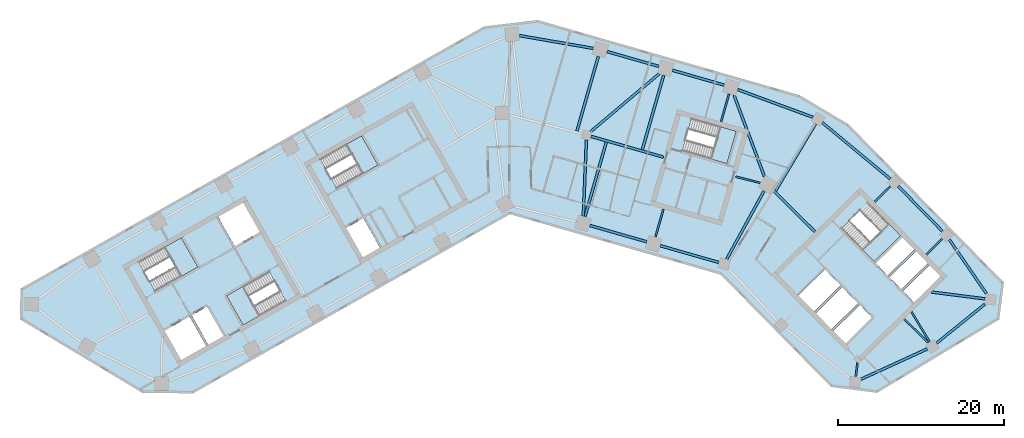
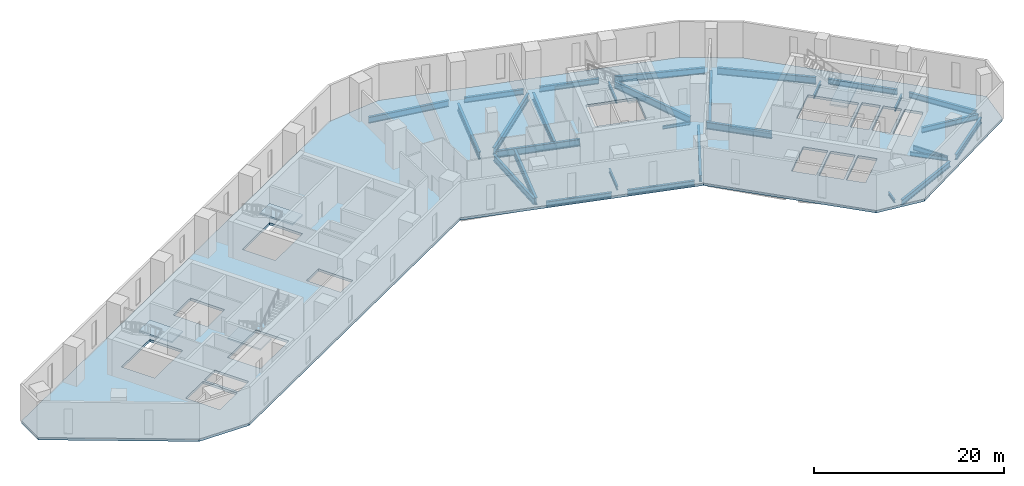
# One storey, part 2 of 10: 30 beams, 6 slabs, 5 elements without a shape of their own.
"""IFC4 building model written with IfcOpenShell, lengths in metres."""

from ifc_helpers import new_model, si_unit, direction, frame, origin, origin_2d, place, context, subcontext, project, spatial, polyline, i_section, outline, extrude, material, layer, layer_set, material_profile, profile_set, type_object, element, aggregate, save


model = new_model("IFC4")

# Units and contexts
model_context = context("Model", 3, precision=1e-05, world=origin(), true_north=direction((0.0, 1.0)))
body_context = subcontext(model_context, "Body", "Model", "MODEL_VIEW")
ifc_project = project(units=[si_unit("LENGTHUNIT", "METRE"), si_unit("AREAUNIT", "SQUARE_METRE"), si_unit("VOLUMEUNIT", "CUBIC_METRE"), si_unit("PLANEANGLEUNIT", "RADIAN"), si_unit("MASSUNIT", "GRAM", prefix="KILO")], contexts=[model_context])

# Site, building, storey
site_placement = place(None, origin())
site = spatial("IfcSite", under=ifc_project, at=site_placement, CompositionType="ELEMENT")
building_placement = place(site_placement, origin())
building = spatial("IfcBuilding", under=site, at=building_placement, Name="Binnacle Exchange Tower", CompositionType="ELEMENT")
storey_placement = place(building_placement, frame((0.0, 0.0, 71.5)))
storey = spatial("IfcBuildingStorey", under=building, at=storey_placement, Name="L14", CompositionType="ELEMENT", Elevation=71.5)

# Beams
ifc_material_1 = material(Name="Steel S355 (SHN355)", Category="steel")
ifc_material_profile_1 = material_profile(ifc_material_1, i_section(OverallWidth=0.300048828125, OverallDepth=0.699951171875, WebThickness=0.012939453125, FlangeThickness=0.02392578125, FilletRadius=0.028076171875, at=origin_2d()), Name="H 700x300x13x24")
ifc_profile_set_1 = profile_set([ifc_material_profile_1], Name="Steel S355 (SHN355)")
beam_type_1 = type_object("IfcBeamType", Name="Edge girder H 700x300x13x24 Steel S355 (SHN355)", PredefinedType="SPANDREL", material=ifc_profile_set_1)
beam_1_placement = place(storey_placement, frame((9.626708984375, 46.488037109375, -0.669921875), z_axis=(0.961260850036, -0.275640305812, 0.0), x_axis=(0.275640305812, 0.961260850036, 0.0)))
element("IfcBeam", 1, at=beam_1_placement, inside=storey, type_object=beam_type_1, Name="S:BM:edge:L14:030", PredefinedType="SPANDREL", context=body_context, shape_type="SweptSolid", body=[
    extrude(i_section(OverallWidth=0.300048828125, OverallDepth=0.699951171875, WebThickness=0.012939453125, FlangeThickness=0.02392578125, FilletRadius=0.028076171875, at=origin_2d()), origin(), (0.0, 0.0, 1.0), 7.120361328125),
])
beam_2_placement = place(storey_placement, frame((17.92919921875, 65.610595703125, -0.669921875), z_axis=(-0.961261624999, 0.275637603213, 0.0), x_axis=(-0.275637603213, -0.961261624999, 0.0)))
element("IfcBeam", 2, at=beam_2_placement, inside=storey, type_object=beam_type_1, Name="S:BM:edge:L14:032", PredefinedType="SPANDREL", context=body_context, shape_type="SweptSolid", body=[
    extrude(i_section(OverallWidth=0.300048828125, OverallDepth=0.699951171875, WebThickness=0.012939453125, FlangeThickness=0.02392578125, FilletRadius=0.028076171875, at=origin_2d()), origin(), (0.0, 0.0, 1.0), 6.472900390625),
])
beam_3_placement = place(storey_placement, frame((18.105224609375, 44.056884765625, -0.669921875), z_axis=(0.96126047873, -0.275641600691, 0.0), x_axis=(0.275641600691, 0.96126047873, 0.0)))
element("IfcBeam", 3, at=beam_3_placement, inside=storey, type_object=beam_type_1, Name="S:BM:edge:L14:033", PredefinedType="SPANDREL", context=body_context, shape_type="SweptSolid", body=[
    extrude(i_section(OverallWidth=0.300048828125, OverallDepth=0.699951171875, WebThickness=0.012939453125, FlangeThickness=0.02392578125, FilletRadius=0.028076171875, at=origin_2d()), origin(), (0.0, 0.0, 1.0), 7.320556640625),
])
beam_4_placement = place(storey_placement, frame((25.78564453125, 63.35791015625, -0.669921875), z_axis=(-0.961271618025, 0.275602751036, 0.0), x_axis=(-0.275602751036, -0.961271618025, 0.0)))
element("IfcBeam", 4, at=beam_4_placement, inside=storey, type_object=beam_type_1, Name="S:BM:edge:L14:034", PredefinedType="SPANDREL", context=body_context, shape_type="SweptSolid", body=[
    extrude(i_section(OverallWidth=0.300048828125, OverallDepth=0.699951171875, WebThickness=0.012939453125, FlangeThickness=0.02392578125, FilletRadius=0.028076171875, at=origin_2d()), origin(), (0.0, 0.0, 1.0), 6.472900390625),
])
beam_5_placement = place(storey_placement, frame((51.322265625, 32.343505859375, -0.669921875), z_axis=(0.777568489665, 0.628798253719, 0.0), x_axis=(-0.628798253719, 0.777568489665, 0.0)))
element("IfcBeam", 5, at=beam_5_placement, inside=storey, type_object=beam_type_1, Name="S:BM:edge:L14:040", PredefinedType="SPANDREL", context=body_context, shape_type="SweptSolid", body=[
    extrude(i_section(OverallWidth=0.300048828125, OverallDepth=0.699951171875, WebThickness=0.012939453125, FlangeThickness=0.02392578125, FilletRadius=0.028076171875, at=origin_2d()), origin(), (0.0, 0.0, 1.0), 7.428955078125),
])
beam_6_placement = place(storey_placement, frame((52.010986328125, 45.802978515625, -0.669921875), z_axis=(-0.700905226564, 0.713254417004, 0.0), x_axis=(-0.713254417004, -0.700905226564, 0.0)))
element("IfcBeam", 6, at=beam_6_placement, inside=storey, type_object=beam_type_1, Name="S:BM:edge:L14:041", PredefinedType="SPANDREL", context=body_context, shape_type="SweptSolid", body=[
    extrude(i_section(OverallWidth=0.300048828125, OverallDepth=0.699951171875, WebThickness=0.012939453125, FlangeThickness=0.02392578125, FilletRadius=0.028076171875, at=origin_2d()), origin(), (0.0, 0.0, 1.0), 7.57177734375),
])
beam_7_placement = place(storey_placement, frame((57.305419921875, 38.299072265625, -0.669921875), z_axis=(-0.566409202341, 0.82412415054, 0.0), x_axis=(-0.82412415054, -0.566409202341, 0.0)))
element("IfcBeam", 7, at=beam_7_placement, inside=storey, type_object=beam_type_1, Name="S:BM:edge:L14:042", PredefinedType="SPANDREL", context=body_context, shape_type="SweptSolid", body=[
    extrude(i_section(OverallWidth=0.300048828125, OverallDepth=0.699951171875, WebThickness=0.012939453125, FlangeThickness=0.02392578125, FilletRadius=0.028076171875, at=origin_2d()), origin(), (0.0, 0.0, 1.0), 7.8828125),
])
ifc_material_profile_2 = material_profile(ifc_material_1, i_section(OverallWidth=0.302001953125, OverallDepth=0.7080078125, WebThickness=0.014892578125, FlangeThickness=0.028076171875, FilletRadius=0.028076171875, at=origin_2d()), Name="H 708x302x15x28")
ifc_profile_set_2 = profile_set([ifc_material_profile_2], Name="Steel S355 (SHN355)")
beam_type_2 = type_object("IfcBeamType", Name="Edge girder H 708x302x15x28 Steel S355 (SHN355)", PredefinedType="SPANDREL", material=ifc_profile_set_2)
beam_8_placement = place(storey_placement, frame((42.215576171875, 27.99365234375, -0.674072265625), z_axis=(0.909179052108, 0.416405392866, 0.0), x_axis=(-0.416405392866, 0.909179052108, 0.0)))
element("IfcBeam", 8, at=beam_8_placement, inside=storey, type_object=beam_type_2, Name="S:BM:edge:L14:038", PredefinedType="SPANDREL", context=body_context, shape_type="SweptSolid", body=[
    extrude(i_section(OverallWidth=0.302001953125, OverallDepth=0.7080078125, WebThickness=0.014892578125, FlangeThickness=0.028076171875, FilletRadius=0.028076171875, at=origin_2d()), origin(), (0.0, 0.0, 1.0), 8.801025390625),
])
ifc_material_profile_3 = material_profile(ifc_material_1, i_section(OverallWidth=0.300048828125, OverallDepth=0.800048828125, WebThickness=0.013916015625, FlangeThickness=0.02587890625, FilletRadius=0.028076171875, at=origin_2d()), Name="H 800x300x14x26")
ifc_profile_set_3 = profile_set([ifc_material_profile_3], Name="Steel S355 (SHN355)")
beam_type_3 = type_object("IfcBeamType", Name="Edge girder H 800x300x14x26 Steel S355 (SHN355)", PredefinedType="SPANDREL", material=ifc_profile_set_3)
beam_9_placement = place(storey_placement, frame((10.047607421875, 67.77490234375, -0.719970703125), z_axis=(-0.985312460293, 0.17076110679, 0.0), x_axis=(-0.17076110679, -0.985312460293, 0.0)))
element("IfcBeam", 9, at=beam_9_placement, inside=storey, type_object=beam_type_3, Name="S:BM:edge:L14:031", PredefinedType="SPANDREL", context=body_context, shape_type="SweptSolid", body=[
    extrude(i_section(OverallWidth=0.300048828125, OverallDepth=0.800048828125, WebThickness=0.013916015625, FlangeThickness=0.02587890625, FilletRadius=0.028076171875, at=origin_2d()), origin(), (0.0, 0.0, 1.0), 9.005859375),
])
ifc_material_profile_4 = material_profile(ifc_material_1, i_section(OverallWidth=0.302001953125, OverallDepth=0.80810546875, WebThickness=0.01611328125, FlangeThickness=0.030029296875, FilletRadius=0.028076171875, at=origin_2d()), Name="H 808x302x16x30")
ifc_profile_set_4 = profile_set([ifc_material_profile_4], Name="Steel S355 (SHN355)")
beam_type_4 = type_object("IfcBeamType", Name="Edge girder H 808x302x16x30 Steel S355 (SHN355)", PredefinedType="SPANDREL", material=ifc_profile_set_4)
beam_10_placement = place(storey_placement, frame((36.464599609375, 59.490966796875, -0.72412109375), z_axis=(-0.938368148393, 0.345637408395, 0.0), x_axis=(-0.345637408395, -0.938368148393, 0.0)))
element("IfcBeam", 10, at=beam_10_placement, inside=storey, type_object=beam_type_4, Name="S:BM:edge:L14:037", PredefinedType="SPANDREL", context=body_context, shape_type="SweptSolid", body=[
    extrude(i_section(OverallWidth=0.302001953125, OverallDepth=0.80810546875, WebThickness=0.01611328125, FlangeThickness=0.030029296875, FilletRadius=0.028076171875, at=origin_2d()), origin(), (0.0, 0.0, 1.0), 9.6572265625),
])
ifc_material_profile_5 = material_profile(ifc_material_1, i_section(OverallWidth=0.300048828125, OverallDepth=0.89990234375, WebThickness=0.01611328125, FlangeThickness=0.028076171875, FilletRadius=0.028076171875, at=origin_2d()), Name="H 900x300x16x28")
ifc_profile_set_5 = profile_set([ifc_material_profile_5], Name="Steel S355 (SHN355)")
beam_type_5 = type_object("IfcBeamType", Name="Edge girder H 900x300x16x28 Steel S355 (SHN355)", PredefinedType="SPANDREL", material=ifc_profile_set_5)
beam_11_placement = place(storey_placement, frame((45.7451171875, 52.084228515625, -0.77001953125), z_axis=(-0.769906025895, 0.638157277864, 0.0), x_axis=(-0.638157277864, -0.769906025895, 0.0)))
element("IfcBeam", 11, at=beam_11_placement, inside=storey, type_object=beam_type_5, Name="S:BM:edge:L14:039", PredefinedType="SPANDREL", context=body_context, shape_type="SweptSolid", body=[
    extrude(i_section(OverallWidth=0.300048828125, OverallDepth=0.89990234375, WebThickness=0.01611328125, FlangeThickness=0.028076171875, FilletRadius=0.028076171875, at=origin_2d()), origin(), (0.0, 0.0, 1.0), 10.59033203125),
])
ifc_material_profile_6 = material_profile(ifc_material_1, i_section(OverallWidth=0.199951171875, OverallDepth=0.39990234375, WebThickness=0.008056640625, FlangeThickness=0.012939453125, FilletRadius=0.01611328125, at=origin_2d()), Name="H 400x200x8x13")
ifc_profile_set_6 = profile_set([ifc_material_profile_6], Name="Steel S355 (SHN355)")
beam_type_6 = type_object("IfcBeamType", Name="Floor beam H 400x200x8x13 Steel S355 (SHN355)", PredefinedType="BEAM", material=ifc_profile_set_6)
beam_12_placement = place(storey_placement, frame((41.601806640625, 28.319580078125, -0.52001953125), z_axis=(0.126197116971, 0.992005185303, 0.0), x_axis=(-0.992005185303, 0.126197116971, 0.0)))
element("IfcBeam", 12, at=beam_12_placement, inside=storey, type_object=beam_type_6, Name="S:BM:cross:L14:063", PredefinedType="BEAM", context=body_context, shape_type="SweptSolid", body=[
    extrude(i_section(OverallWidth=0.199951171875, OverallDepth=0.39990234375, WebThickness=0.008056640625, FlangeThickness=0.012939453125, FilletRadius=0.01611328125, at=origin_2d()), origin(), (0.0, 0.0, 1.0), 1.68115234375),
])
ifc_material_profile_7 = material_profile(ifc_material_1, i_section(OverallWidth=0.199951171875, OverallDepth=0.449951171875, WebThickness=0.009033203125, FlangeThickness=0.013916015625, FilletRadius=0.01806640625, at=origin_2d()), Name="H 450x200x9x14")
ifc_profile_set_7 = profile_set([ifc_material_profile_7], Name="Steel S355 (SHN355)")
beam_type_7 = type_object("IfcBeamType", Name="Floor beam H 450x200x9x14 Steel S355 (SHN355)", PredefinedType="BEAM", material=ifc_profile_set_7)
for number, where, z_axis, x_axis, name in (
    (13, (45.78466796875, 51.211669921875, -0.544921875), (-0.713299272232, -0.700859578113, 0.0), (0.700859578113, -0.713299272232, 0.0), "S:BM:cross:L14:064"),
    (14, (52.003173828125, 44.8837890625, -0.544921875), (-0.713254209224, -0.700905438004, 0.0), (0.700905438004, -0.713254209224, 0.0), "S:BM:cross:L14:066"),
):
    element("IfcBeam", number, at=place(storey_placement, frame(where, z_axis=z_axis, x_axis=x_axis)), inside=storey, type_object=beam_type_7, Name=name, PredefinedType="BEAM", context=body_context, shape_type="SweptSolid", body=[
        extrude(i_section(OverallWidth=0.199951171875, OverallDepth=0.449951171875, WebThickness=0.009033203125, FlangeThickness=0.013916015625, FilletRadius=0.01806640625, at=origin_2d()), origin(), (0.0, 0.0, 1.0), 2.70849609375),
    ])
ifc_material_profile_8 = material_profile(ifc_material_1, i_section(OverallWidth=0.200927734375, OverallDepth=0.506103515625, WebThickness=0.010986328125, FlangeThickness=0.01904296875, FilletRadius=0.02001953125, at=origin_2d()), Name="H 506x201x11x19")
ifc_profile_set_8 = profile_set([ifc_material_profile_8], Name="Steel S355 (SHN355)")
beam_type_8 = type_object("IfcBeamType", Name="Floor beam H 506x201x11x19 Steel S355 (SHN355)", PredefinedType="BEAM", material=ifc_profile_set_8)
for number, where, z_axis, x_axis, name in (
    (15, (17.5224609375, 45.108154296875, -0.572998046875), (0.275655468279, 0.961256502089, 0.0), (-0.961256502089, 0.275655468279, 0.0), "S:BM:cross:L14:058"),
    (16, (26.368408203125, 62.306396484375, -0.572998046875), (-0.275655468279, -0.961256502089, 0.0), (0.961256502089, -0.275655468279, 0.0), "S:BM:cross:L14:060"),
):
    element("IfcBeam", number, at=place(storey_placement, frame(where, z_axis=z_axis, x_axis=x_axis)), inside=storey, type_object=beam_type_8, Name=name, PredefinedType="BEAM", context=body_context, shape_type="SweptSolid", body=[
        extrude(i_section(OverallWidth=0.200927734375, OverallDepth=0.506103515625, WebThickness=0.010986328125, FlangeThickness=0.01904296875, FilletRadius=0.02001953125, at=origin_2d()), origin(), (0.0, 0.0, 1.0), 3.485107421875),
    ])
ifc_material_profile_9 = material_profile(ifc_material_1, i_section(OverallWidth=0.199951171875, OverallDepth=0.60009765625, WebThickness=0.010986328125, FlangeThickness=0.01708984375, FilletRadius=0.02197265625, at=origin_2d()), Name="H 600x200x11x17")
ifc_profile_set_9 = profile_set([ifc_material_profile_9], Name="Steel S355 (SHN355)")
beam_type_9 = type_object("IfcBeamType", Name="Floor beam H 600x200x11x17 Steel S355 (SHN355)", PredefinedType="BEAM", material=ifc_profile_set_9)
beam_13_placement = place(storey_placement, frame((50.477294921875, 32.488037109375, -0.6201171875), z_axis=(-0.515057466438, 0.857155648798, 0.0), x_axis=(-0.857155648798, -0.515057466438, 0.0)))
element("IfcBeam", 17, at=beam_13_placement, inside=storey, type_object=beam_type_9, Name="S:BM:cross:L14:065", PredefinedType="BEAM", context=body_context, shape_type="SweptSolid", body=[
    extrude(i_section(OverallWidth=0.199951171875, OverallDepth=0.60009765625, WebThickness=0.010986328125, FlangeThickness=0.01708984375, FilletRadius=0.02197265625, at=origin_2d()), origin(), (0.0, 0.0, 1.0), 4.2177734375),
])
ifc_material_profile_10 = material_profile(ifc_material_1, i_section(OverallWidth=0.300048828125, OverallDepth=0.699951171875, WebThickness=0.012939453125, FlangeThickness=0.02392578125, FilletRadius=0.028076171875, at=origin_2d()), Name="H 700x300x13x24")
ifc_profile_set_10 = profile_set([ifc_material_profile_10], Name="Steel S355 (SHN355)")
beam_type_10 = type_object("IfcBeamType", Name="Floor beam H 700x300x13x24 Steel S355 (SHN355)", PredefinedType="BEAM", material=ifc_profile_set_10)
beam_14_placement = place(storey_placement, frame((57.154296875, 37.6630859375, -0.669921875), z_axis=(-0.992006658356, 0.126185537116, 0.0), x_axis=(-0.126185537116, -0.992006658356, 0.0)))
element("IfcBeam", 18, at=beam_14_placement, inside=storey, type_object=beam_type_10, Name="S:BM:cross:L14:067", PredefinedType="BEAM", context=body_context, shape_type="SweptSolid", body=[
    extrude(i_section(OverallWidth=0.300048828125, OverallDepth=0.699951171875, WebThickness=0.012939453125, FlangeThickness=0.02392578125, FilletRadius=0.028076171875, at=origin_2d()), origin(), (0.0, 0.0, 1.0), 6.4814453125),
])
ifc_material_profile_11 = material_profile(ifc_material_1, i_section(OverallWidth=0.302978515625, OverallDepth=0.91796875, WebThickness=0.01904296875, FlangeThickness=0.037109375, FilletRadius=0.028076171875, at=origin_2d()), Name="H 918x303x19x37")
ifc_profile_set_11 = profile_set([ifc_material_profile_11], Name="Steel S355 (SHN355)")
beam_type_11 = type_object("IfcBeamType", Name="Floor beam H 918x303x19x37 Steel S355 (SHN355)", PredefinedType="BEAM", material=ifc_profile_set_11)
beam_15_placement = place(storey_placement, frame((9.043701171875, 47.539306640625, -0.779052734375), z_axis=(0.275646698205, 0.961259017003, 0.0), x_axis=(-0.961259017003, 0.275646698205, 0.0)))
element("IfcBeam", 19, at=beam_15_placement, inside=storey, type_object=beam_type_11, Name="S:BM:cross:L14:056", PredefinedType="BEAM", context=body_context, shape_type="SweptSolid", body=[
    extrude(i_section(OverallWidth=0.302978515625, OverallDepth=0.91796875, WebThickness=0.01904296875, FlangeThickness=0.037109375, FilletRadius=0.028076171875, at=origin_2d()), origin(), (0.0, 0.0, 1.0), 9.335205078125),
])
beam_16_placement = place(storey_placement, frame((10.65576171875, 66.81201171875, -0.779052734375), z_axis=(-0.275626703457, -0.961264750389, 0.0), x_axis=(0.961264750389, -0.275626703457, 0.0)))
element("IfcBeam", 20, at=beam_16_placement, inside=storey, type_object=beam_type_11, Name="S:BM:cross:L14:057", PredefinedType="BEAM", context=body_context, shape_type="SweptSolid", body=[
    extrude(i_section(OverallWidth=0.302978515625, OverallDepth=0.91796875, WebThickness=0.01904296875, FlangeThickness=0.037109375, FilletRadius=0.028076171875, at=origin_2d()), origin(), (0.0, 0.0, 1.0), 9.363525390625),
])
beam_17_placement = place(storey_placement, frame((18.511962890625, 64.55908203125, -0.779052734375), z_axis=(-0.275629461812, -0.961263959473, 0.0), x_axis=(0.961263959473, -0.275629461812, 0.0)))
element("IfcBeam", 21, at=beam_17_placement, inside=storey, type_object=beam_type_11, Name="S:BM:cross:L14:059", PredefinedType="BEAM", context=body_context, shape_type="SweptSolid", body=[
    extrude(i_section(OverallWidth=0.302978515625, OverallDepth=0.91796875, WebThickness=0.01904296875, FlangeThickness=0.037109375, FilletRadius=0.028076171875, at=origin_2d()), origin(), (0.0, 0.0, 1.0), 9.3349609375),
])
beam_18_placement = place(storey_placement, frame((36.752685546875, 58.703857421875, -0.779052734375), z_axis=(-0.511298188751, -0.859403375709, 0.0), x_axis=(0.859403375709, -0.511298188751, 0.0)))
element("IfcBeam", 22, at=beam_18_placement, inside=storey, type_object=beam_type_11, Name="S:BM:cross:L14:062", PredefinedType="BEAM", context=body_context, shape_type="SweptSolid", body=[
    extrude(i_section(OverallWidth=0.302978515625, OverallDepth=0.91796875, WebThickness=0.01904296875, FlangeThickness=0.037109375, FilletRadius=0.028076171875, at=origin_2d()), origin(), (0.0, 0.0, 1.0), 9.385986328125),
])
ifc_material_profile_12 = material_profile(ifc_material_1, i_section(OverallWidth=0.199951171875, OverallDepth=0.39990234375, WebThickness=0.008056640625, FlangeThickness=0.012939453125, FilletRadius=0.01611328125, at=origin_2d()), Name="H 400x200x8x13")
ifc_profile_set_12 = profile_set([ifc_material_profile_12], Name="Steel S355 (SHN355)")
beam_type_12 = type_object("IfcBeamType", Name="Spine girder H 400x200x8x13 Steel S355 (SHN355)", PredefinedType="BEAM", material=ifc_profile_set_12)
beam_19_placement = place(storey_placement, frame((27.17138671875, 52.35400390625, -0.52001953125), z_axis=(0.969359627701, -0.245645908136, 0.0), x_axis=(0.245645908136, 0.969359627701, 0.0)))
element("IfcBeam", 23, at=beam_19_placement, inside=storey, type_object=beam_type_12, Name="S:BM:spine:L14:010", PredefinedType="BEAM", context=body_context, shape_type="SweptSolid", body=[
    extrude(i_section(OverallWidth=0.199951171875, OverallDepth=0.39990234375, WebThickness=0.008056640625, FlangeThickness=0.012939453125, FilletRadius=0.01611328125, at=origin_2d()), origin(), (0.0, 0.0, 1.0), 3.046142578125),
])
ifc_material_profile_13 = material_profile(ifc_material_1, i_section(OverallWidth=0.200927734375, OverallDepth=0.506103515625, WebThickness=0.010986328125, FlangeThickness=0.01904296875, FilletRadius=0.02001953125, at=origin_2d()), Name="H 506x201x11x19")
ifc_profile_set_13 = profile_set([ifc_material_profile_13], Name="Steel S355 (SHN355)")
beam_type_13 = type_object("IfcBeamType", Name="Spine girder H 506x201x11x19 Steel S355 (SHN355)", PredefinedType="BEAM", material=ifc_profile_set_13)
beam_20_placement = place(storey_placement, frame((47.417236328125, 35.23095703125, -0.572998046875), z_axis=(0.717013275689, -0.697059511437, 0.0), x_axis=(0.697059511437, 0.717013275689, 0.0)))
element("IfcBeam", 24, at=beam_20_placement, inside=storey, type_object=beam_type_13, Name="S:BM:spine:L14:014", PredefinedType="BEAM", context=body_context, shape_type="SweptSolid", body=[
    extrude(i_section(OverallWidth=0.200927734375, OverallDepth=0.506103515625, WebThickness=0.010986328125, FlangeThickness=0.01904296875, FilletRadius=0.02001953125, at=origin_2d()), origin(), (0.0, 0.0, 1.0), 4.06201171875),
])
ifc_material_profile_14 = material_profile(ifc_material_1, i_section(OverallWidth=0.302001953125, OverallDepth=0.80810546875, WebThickness=0.01611328125, FlangeThickness=0.030029296875, FilletRadius=0.028076171875, at=origin_2d()), Name="H 808x302x16x30")
ifc_profile_set_14 = profile_set([ifc_material_profile_14], Name="Steel S355 (SHN355)")
beam_type_14 = type_object("IfcBeamType", Name="Spine girder H 808x302x16x30 Steel S355 (SHN355)", PredefinedType="BEAM", material=ifc_profile_set_14)
beam_21_placement = place(storey_placement, frame((9.218017578125, 56.78466796875, -0.72412109375), z_axis=(-0.040567083206, -0.999176817065, 0.0), x_axis=(0.999176817065, -0.040567083206, 0.0)))
element("IfcBeam", 25, at=beam_21_placement, inside=storey, type_object=beam_type_14, Name="S:BM:spine:L14:007", PredefinedType="BEAM", context=body_context, shape_type="SweptSolid", body=[
    extrude(i_section(OverallWidth=0.302001953125, OverallDepth=0.80810546875, WebThickness=0.01611328125, FlangeThickness=0.030029296875, FilletRadius=0.028076171875, at=origin_2d()), origin(), (0.0, 0.0, 1.0), 9.19580078125),
])
beam_22_placement = place(storey_placement, frame((30.580078125, 50.6396484375, -0.72412109375), z_axis=(-0.480716000085, -0.87687634662, 0.0), x_axis=(0.87687634662, -0.480716000085, 0.0)))
element("IfcBeam", 26, at=beam_22_placement, inside=storey, type_object=beam_type_14, Name="S:BM:spine:L14:011", PredefinedType="BEAM", context=body_context, shape_type="SweptSolid", body=[
    extrude(i_section(OverallWidth=0.302001953125, OverallDepth=0.80810546875, WebThickness=0.01611328125, FlangeThickness=0.030029296875, FilletRadius=0.028076171875, at=origin_2d()), origin(), (0.0, 0.0, 1.0), 9.34619140625),
])
ifc_material_profile_15 = material_profile(ifc_material_1, i_section(OverallWidth=0.302001953125, OverallDepth=0.912109375, WebThickness=0.01806640625, FlangeThickness=0.033935546875, FilletRadius=0.028076171875, at=origin_2d()), Name="H 912x302x18x34")
ifc_profile_set_15 = profile_set([ifc_material_profile_15], Name="Steel S355 (SHN355)")
beam_type_15 = type_object("IfcBeamType", Name="Spine girder H 912x302x18x34 Steel S355 (SHN355)", PredefinedType="BEAM", material=ifc_profile_set_15)
beam_23_placement = place(storey_placement, frame((9.74658203125, 57.77734375, -0.77587890625), z_axis=(0.764072930463, 0.64512987602, 0.0), x_axis=(-0.64512987602, 0.764072930463, 0.0)))
element("IfcBeam", 27, at=beam_23_placement, inside=storey, type_object=beam_type_15, Name="S:BM:spine:L14:008", PredefinedType="BEAM", context=body_context, shape_type="SweptSolid", body=[
    extrude(i_section(OverallWidth=0.302001953125, OverallDepth=0.912109375, WebThickness=0.01806640625, FlangeThickness=0.033935546875, FilletRadius=0.028076171875, at=origin_2d()), origin(), (0.0, 0.0, 1.0), 10.755615234375),
])
beam_24_placement = place(storey_placement, frame((30.614501953125, 52.389892578125, -0.77587890625), z_axis=(-0.350104624168, 0.936710602126, 0.0), x_axis=(-0.936710602126, -0.350104624168, 0.0)))
element("IfcBeam", 28, at=beam_24_placement, inside=storey, type_object=beam_type_15, Name="S:BM:spine:L14:012", PredefinedType="BEAM", context=body_context, shape_type="SweptSolid", body=[
    extrude(i_section(OverallWidth=0.302001953125, OverallDepth=0.912109375, WebThickness=0.01806640625, FlangeThickness=0.033935546875, FilletRadius=0.028076171875, at=origin_2d()), origin(), (0.0, 0.0, 1.0), 10.4013671875),
])
ifc_material_profile_16 = material_profile(ifc_material_1, i_section(OverallWidth=0.302978515625, OverallDepth=0.91796875, WebThickness=0.01904296875, FlangeThickness=0.037109375, FilletRadius=0.028076171875, at=origin_2d()), Name="H 918x303x19x37")
ifc_profile_set_16 = profile_set([ifc_material_profile_16], Name="Steel S355 (SHN355)")
beam_type_16 = type_object("IfcBeamType", Name="Spine girder H 918x303x19x37 Steel S355 (SHN355)", PredefinedType="BEAM", material=ifc_profile_set_16)
beam_25_placement = place(storey_placement, frame((9.76953125, 57.198486328125, -0.779052734375), z_axis=(0.961265329417, -0.275624684057, 0.0), x_axis=(0.275624684057, 0.961265329417, 0.0)))
element("IfcBeam", 29, at=beam_25_placement, inside=storey, type_object=beam_type_16, Name="S:BM:spine:L14:009", PredefinedType="BEAM", context=body_context, shape_type="SweptSolid", body=[
    extrude(i_section(OverallWidth=0.302978515625, OverallDepth=0.91796875, WebThickness=0.01904296875, FlangeThickness=0.037109375, FilletRadius=0.028076171875, at=origin_2d()), origin(), (0.0, 0.0, 1.0), 9.063232421875),
])
beam_26_placement = place(storey_placement, frame((31.60888671875, 50.773681640625, -0.779052734375), z_axis=(0.711013452478, -0.703178405809, 0.0), x_axis=(0.703178405809, 0.711013452478, 0.0)))
element("IfcBeam", 30, at=beam_26_placement, inside=storey, type_object=beam_type_16, Name="S:BM:spine:L14:013", PredefinedType="BEAM", context=body_context, shape_type="SweptSolid", body=[
    extrude(i_section(OverallWidth=0.302978515625, OverallDepth=0.91796875, WebThickness=0.01904296875, FlangeThickness=0.037109375, FilletRadius=0.028076171875, at=origin_2d()), origin(), (0.0, 0.0, 1.0), 7.166748046875),
])

# Slab
ifc_material_2 = material(Name="Concrete C35/45", Category="concrete")
ifc_layer_1 = layer(ifc_material_2, 0.320068359375)
ifc_layer_set_1 = layer_set([ifc_layer_1], Name="Floor slab 320 Concrete C35/45")
slab_type_1 = type_object("IfcSlabType", Name="Floor slab 320 Concrete C35/45", PredefinedType="FLOOR", material=ifc_layer_set_1)
slab_1_placement = place(storey_placement, frame((0.0, 0.0, -0.320068359375)))
element("IfcSlab", 31, at=slab_1_placement, inside=storey, type_object=slab_type_1, Name="S:SL:L14:01", PredefinedType="FLOOR", context=body_context, shape_type="SweptSolid", body=[
    extrude(outline(polyline([(59.262939453125, 39.5791015625), (58.716064453125, 35.280029296875), (44.14404296875, 26.5244140625), (38.69091796875, 27.21826171875), (25.43603515625, 40.706298828125), (0.0, 48.0), (-38.097900390625, 26.4453125), (-44.14404296875, 26.5244140625), (-58.716064453125, 35.280029296875), (-58.669921875, 38.80615234375), (-3.046142578125, 70.276611328125), (3.364501953125, 71.035400390625), (34.789794921875, 62.024169921875), (40.607421875, 58.56298828125), (59.262939453125, 39.5791015625)]), holes=[polyline([(-38.4794921875, 35.529296875), (-41.61279296875, 33.756591796875), (-39.544677734375, 30.10107421875), (-36.411376953125, 31.873779296875), (-38.4794921875, 35.529296875)]), polyline([(-34.322509765625, 33.0556640625), (-36.390625, 36.711181640625), (-38.21826171875, 35.677001953125), (-36.150146484375, 32.021484375), (-34.322509765625, 33.0556640625)]), polyline([(-34.040771484375, 38.04052734375), (-32.04638671875, 34.515625), (-26.9287109375, 37.4111328125), (-28.923095703125, 40.93603515625), (-34.040771484375, 38.04052734375)]), polyline([(-37.486572265625, 41.4912109375), (-39.480712890625, 45.01611328125), (-44.598388671875, 42.12060546875), (-42.604248046875, 38.595703125), (-37.486572265625, 41.4912109375)]), polyline([(-15.53076171875, 43.6875), (-17.598876953125, 47.343017578125), (-19.77490234375, 46.11181640625), (-17.70654296875, 42.456298828125), (-15.53076171875, 43.6875)]), polyline([(-29.914306640625, 45.775390625), (-31.982666015625, 49.430908203125), (-35.115966796875, 47.657958984375), (-33.047607421875, 44.00244140625), (-29.914306640625, 45.775390625)]), polyline([(-15.822509765625, 53.748046875), (-17.81689453125, 57.27294921875), (-22.760498046875, 54.47607421875), (-20.76611328125, 50.950927734375), (-15.822509765625, 53.748046875)]), polyline([(26.111328125, 53.9169921875), (27.227783203125, 57.810302734375), (21.864013671875, 59.348388671875), (20.74755859375, 55.455078125), (26.111328125, 53.9169921875)]), polyline([(40.268798828125, 32.201904296875), (43.549560546875, 35.426025390625), (42.07763671875, 36.923828125), (38.796875, 33.69970703125), (40.268798828125, 32.201904296875)]), polyline([(38.58642578125, 33.913818359375), (41.867431640625, 37.137939453125), (39.97509765625, 39.063720703125), (36.694091796875, 35.83935546875), (38.58642578125, 33.913818359375)]), polyline([(36.48388671875, 36.053466796875), (39.7646484375, 39.277587890625), (37.872314453125, 41.203369140625), (34.59130859375, 37.979248046875), (36.48388671875, 36.053466796875)]), polyline([(48.726806640625, 37.148681640625), (52.0078125, 40.372802734375), (50.577880859375, 41.827880859375), (47.296875, 38.603759765625), (48.726806640625, 37.148681640625)]), polyline([(47.086669921875, 38.817626953125), (50.36767578125, 42.0419921875), (48.944580078125, 43.48974609375), (45.663818359375, 40.265625), (47.086669921875, 38.817626953125)]), polyline([(45.45361328125, 40.4794921875), (48.734375, 43.703857421875), (47.3115234375, 45.151611328125), (44.030517578125, 41.927490234375), (45.45361328125, 40.4794921875)]), polyline([(43.8203125, 42.141357421875), (46.994384765625, 45.260498046875), (43.083251953125, 49.240478515625), (39.9091796875, 46.121337890625), (43.8203125, 42.141357421875)])]), origin(), (0.0, 0.0, 1.0), 0.320068359375),
])

# Stair, slab
stair_type = type_object("IfcStairType", Name="STAIR 28 RISERS 179", PredefinedType="HALF_TURN_STAIR", material=ifc_material_2)
stair_1_placement = place(storey_placement, origin())
stair_1 = element("IfcStair", 32, at=stair_1_placement, inside=storey, type_object=stair_type, Name="L14 Escape stair A1", PredefinedType="HALF_TURN_STAIR")
ifc_layer_2 = layer(ifc_material_2, 0.199951171875)
ifc_layer_set_2 = layer_set([ifc_layer_2], Name="STAIR LANDING 200")
slab_type_2 = type_object("IfcSlabType", Name="STAIR LANDING 200", PredefinedType="LANDING", material=ifc_layer_set_2)
slab_2_placement = place(storey_placement, frame((0.0, 0.0, 2.300048828125)))
slab_2 = element("IfcSlab", 33, at=slab_2_placement, type_object=slab_type_2, Name="STA1 landing 1", PredefinedType="LANDING", context=body_context, shape_type="SweptSolid", body=[
    extrude(outline(polyline([(-39.470947265625, 40.368408203125), (-37.486572265625, 41.4912109375), (-39.48095703125, 45.01611328125), (-41.46533203125, 43.893310546875), (-39.470947265625, 40.368408203125)])), origin(), (0.0, 0.0, 1.0), 0.199951171875),
])
aggregate(stair_1, [slab_2])

stair_2_placement = place(storey_placement, origin())
stair_2 = element("IfcStair", 34, at=stair_2_placement, inside=storey, type_object=stair_type, Name="L14 Escape stair A2", PredefinedType="HALF_TURN_STAIR")
slab_3_placement = place(storey_placement, frame((0.0, 0.0, 2.300048828125)))
slab_3 = element("IfcSlab", 35, at=slab_3_placement, type_object=slab_type_2, Name="STA2 landing 1", PredefinedType="LANDING", context=body_context, shape_type="SweptSolid", body=[
    extrude(outline(polyline([(-32.05615234375, 39.163330078125), (-34.040771484375, 38.04052734375), (-32.04638671875, 34.515625), (-30.06201171875, 35.638427734375), (-32.05615234375, 39.163330078125)])), origin(), (0.0, 0.0, 1.0), 0.199951171875),
])
aggregate(stair_2, [slab_3])

stair_3_placement = place(storey_placement, origin())
stair_3 = element("IfcStair", 36, at=stair_3_placement, inside=storey, type_object=stair_type, Name="L14 Escape stair B1", PredefinedType="HALF_TURN_STAIR")
slab_4_placement = place(storey_placement, frame((0.0, 0.0, 2.300048828125)))
slab_4 = element("IfcSlab", 37, at=slab_4_placement, type_object=slab_type_2, Name="STB1 landing 1", PredefinedType="LANDING", context=body_context, shape_type="SweptSolid", body=[
    extrude(outline(polyline([(42.4326171875, 43.5537109375), (43.8203125, 42.141357421875), (46.994384765625, 45.260498046875), (45.606689453125, 46.672607421875), (42.4326171875, 43.5537109375)])), origin(), (0.0, 0.0, 1.0), 0.199951171875),
])
aggregate(stair_3, [slab_4])

stair_4_placement = place(storey_placement, origin())
stair_4 = element("IfcStair", 38, at=stair_4_placement, inside=storey, type_object=stair_type, Name="L14 Escape stair C1", PredefinedType="HALF_TURN_STAIR")
slab_5_placement = place(storey_placement, frame((0.0, 0.0, 2.300048828125)))
slab_5 = element("IfcSlab", 39, at=slab_5_placement, type_object=slab_type_2, Name="STC1 landing 1", PredefinedType="LANDING", context=body_context, shape_type="SweptSolid", body=[
    extrude(outline(polyline([(-17.6328125, 52.7236328125), (-15.822509765625, 53.748046875), (-17.81689453125, 57.27294921875), (-19.627197265625, 56.248779296875), (-17.6328125, 52.7236328125)])), origin(), (0.0, 0.0, 1.0), 0.199951171875),
])
aggregate(stair_4, [slab_5])

stair_5_placement = place(storey_placement, origin())
stair_5 = element("IfcStair", 40, at=stair_5_placement, inside=storey, type_object=stair_type, Name="L14 Escape stair D1", PredefinedType="HALF_TURN_STAIR")
slab_6_placement = place(storey_placement, frame((0.0, 0.0, 2.300048828125)))
slab_6 = element("IfcSlab", 41, at=slab_6_placement, type_object=slab_type_2, Name="STD1 landing 1", PredefinedType="LANDING", context=body_context, shape_type="SweptSolid", body=[
    extrude(outline(polyline([(24.2080078125, 54.462890625), (26.111328125, 53.917236328125), (27.227783203125, 57.810302734375), (25.324462890625, 58.35595703125), (24.2080078125, 54.462890625)])), origin(), (0.0, 0.0, 1.0), 0.199951171875),
])
aggregate(stair_5, [slab_6])

save(model, "model.ifc")
